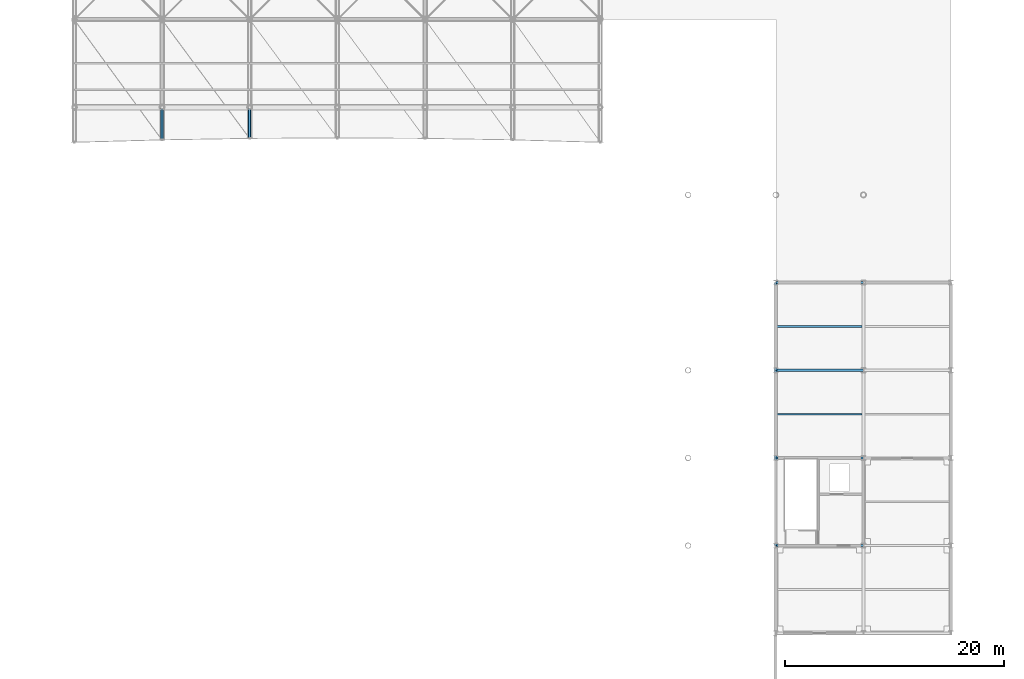
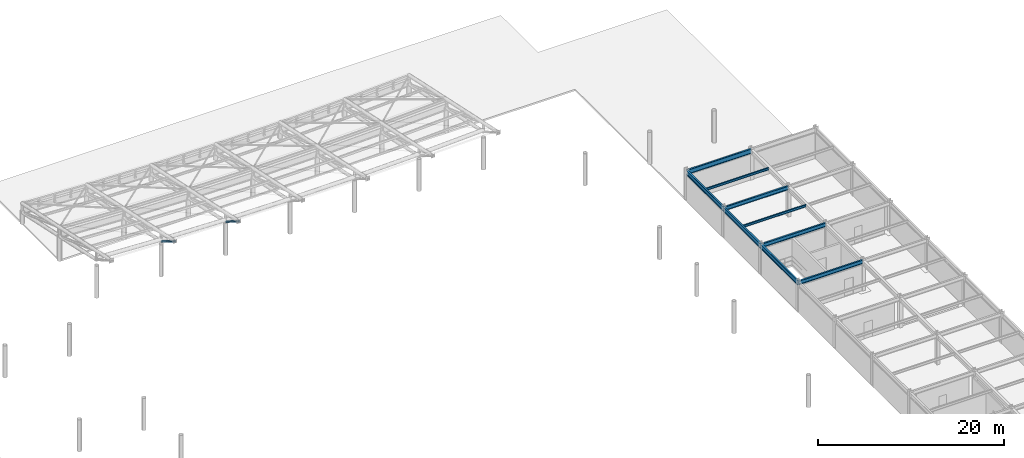
# One storey, part 16 of 54: 9 beams, 2 members.
"""IFC4 building model written with IfcOpenShell, lengths in metres."""

import ifcopenshell
import ifcopenshell.guid

model = None  # the IFC model being written
_history = None  # IfcOwnerHistory: only IFC2X3 demands one
_inside = {}  # id of a spatial element -> (the spatial element, [elements in it])
_under = {}  # id of a project, library or spatial element -> (it, [spatial elements below it])
_declared = {}  # id of a project -> (the project, [libraries it declares])
_typed = {}  # id of a type object -> (the type object, [elements of that type])
_made_of = {}  # id of a material, layer set ... -> (it, [elements and type objects made of it])


def new_model(schema):
    """Start an empty IFC model of exactly this schema.

    Asked for "IFC4X3", IfcOpenShell would pick the latest addendum, in which some entities
    have other attributes; the version numbers below select the first issue.
    IFC2X3 requires an IfcOwnerHistory on every rooted entity: one is made here for all.
    """
    global model, _history
    if schema == "IFC4X3":
        model = ifcopenshell.file(schema_version=(4, 3, 0, 0))
    else:
        model = ifcopenshell.file(schema=schema)
    _inside.clear()
    _under.clear()
    _declared.clear()
    _typed.clear()
    _made_of.clear()
    _history = None
    if model.schema == "IFC2X3":
        org = make("IfcOrganization", Name="unknown")
        user = make(
            "IfcPersonAndOrganization",
            ThePerson=make("IfcPerson", FamilyName="unknown"),
            TheOrganization=org,
        )
        app = make(
            "IfcApplication",
            ApplicationDeveloper=org,
            Version="unknown",
            ApplicationFullName="unknown",
            ApplicationIdentifier="unknown",
        )
        _history = make(
            "IfcOwnerHistory",
            OwningUser=user,
            OwningApplication=app,
            ChangeAction="ADDED",
            CreationDate=0,
        )
    return model


def make(cls, **values):
    """One entity of the class cls with the attributes given. An attribute that is None is left unset."""
    return model.create_entity(
        cls, **{name: value for name, value in values.items() if value is not None}
    )


def rooted(cls, **values):
    """An entity with a GlobalId (a new one), such as an element, a storey or a relation."""
    return make(cls, GlobalId=ifcopenshell.guid.new(), OwnerHistory=_history, **values)


def si_unit(unit_type, name, prefix=None):
    """IfcSIUnit, for example si_unit("LENGTHUNIT", "METRE", prefix="MILLI")."""
    return make("IfcSIUnit", UnitType=unit_type, Prefix=prefix, Name=name)


def assignment(units):
    """IfcUnitAssignment: the units of a project."""
    return None if units is None else make("IfcUnitAssignment", Units=units)


def point(xyz):
    """IfcCartesianPoint."""
    return None if xyz is None else make("IfcCartesianPoint", Coordinates=xyz)


def direction(xyz):
    """IfcDirection."""
    return None if xyz is None else make("IfcDirection", DirectionRatios=xyz)


def frame(location, z_axis=None, x_axis=None):
    """IfcAxis2Placement3D, a coordinate frame: its origin and axes. An axis left out is left unset."""
    return make(
        "IfcAxis2Placement3D",
        Location=point(location),
        Axis=direction(z_axis),
        RefDirection=direction(x_axis),
    )


def frame_2d(location, x_axis=None):
    """IfcAxis2Placement2D, a coordinate frame in the plane: its origin and x axis."""
    return make(
        "IfcAxis2Placement2D", Location=point(location), RefDirection=direction(x_axis)
    )


def origin():
    """The frame at (0, 0, 0) with its axes left unset."""
    return frame((0.0, 0.0, 0.0))


def origin_2d():
    """The frame at (0, 0) in the plane with its x axis left unset."""
    return frame_2d((0.0, 0.0))


def place(relative_to, where):
    """IfcLocalPlacement: puts the frame where relative to a parent placement (None: the world)."""
    return make(
        "IfcLocalPlacement", PlacementRelTo=relative_to, RelativePlacement=where
    )


def context(
    kind, dimensions, precision=None, world=None, true_north=None, identifier=None
):
    """IfcGeometricRepresentationContext, for example the 3D "Model" context."""
    return make(
        "IfcGeometricRepresentationContext",
        ContextIdentifier=identifier,
        ContextType=kind,
        CoordinateSpaceDimension=dimensions,
        Precision=precision,
        WorldCoordinateSystem=world,
        TrueNorth=true_north,
    )


def subcontext(parent, identifier, kind, view, scale=None):
    """IfcGeometricRepresentationSubContext, for example "Body" below "Model"."""
    return make(
        "IfcGeometricRepresentationSubContext",
        ContextIdentifier=identifier,
        ContextType=kind,
        ParentContext=parent,
        TargetScale=scale,
        TargetView=view,
    )


def project(units=None, contexts=None):
    """IfcProject with its units and contexts."""
    return rooted(
        "IfcProject",
        Name="project",
        RepresentationContexts=contexts,
        UnitsInContext=assignment(units),
    )


def spatial(cls, under=None, at=None, **own):
    """A site, building, storey or space (cls), placed at a placement, below another one or the project."""
    s = rooted(cls, ObjectPlacement=at, **own)
    if under is not None:
        _under.setdefault(under.id(), (under, []))[1].append(s)
    return s


def profile(cls, at=None, kind="AREA", **sizes):
    """A parametric profile (cls). Its sizes go by their IFC names, for example OverallWidth=200.0."""
    return make(cls, ProfileType=kind, Position=at, **sizes)


def hollow_circle(**sizes):
    """IfcCircleHollowProfileDef."""
    return profile("IfcCircleHollowProfileDef", **sizes)


def i_section(**sizes):
    """IfcIShapeProfileDef."""
    return profile("IfcIShapeProfileDef", **sizes)


def extrude(swept, where, along, depth):
    """IfcExtrudedAreaSolid: the profile swept, set in the frame where, extruded along a direction by depth."""
    return make(
        "IfcExtrudedAreaSolid",
        SweptArea=swept,
        Position=where,
        ExtrudedDirection=direction(along),
        Depth=depth,
    )


def shape(context_of_items, identifier, shape_type, items):
    """IfcShapeRepresentation: the items that make up one representation, for example the "Body"."""
    return make(
        "IfcShapeRepresentation",
        ContextOfItems=context_of_items,
        RepresentationIdentifier=identifier,
        RepresentationType=shape_type,
        Items=items,
    )


def material(Name=None, Category=None):
    """IfcMaterial."""
    return make("IfcMaterial", Name=Name, Category=Category)


def material_profile(
    of_material, cross_section, Name=None, Category=None, Priority=None
):
    """IfcMaterialProfile: a cross section and its material."""
    return make(
        "IfcMaterialProfile",
        Name=Name,
        Material=of_material,
        Profile=cross_section,
        Priority=Priority,
        Category=Category,
    )


def profile_set(profiles, Name=None, composite=None):
    """IfcMaterialProfileSet."""
    return make(
        "IfcMaterialProfileSet",
        Name=Name,
        MaterialProfiles=profiles,
        CompositeProfile=composite,
    )


def made_of(thing, what):
    """Note that an element or type object is made of a material, layer set ...; save() writes the relation."""
    if what is not None:
        _made_of.setdefault(what.id(), (what, []))[1].append(thing)
    return thing


def type_object(cls, material=None, **own):
    """A type object (cls), such as IfcWallType, which elements share."""
    return made_of(rooted(cls, **own), material)


def element(
    cls,
    number,
    at=None,
    inside=None,
    cuts=None,
    type_object=None,
    material=None,
    context=None,
    identifier="Body",
    shape_type=None,
    held_by="IfcProductDefinitionShape",
    body=None,
    shapes=None,
    **own,
):
    """One element of the class cls, such as IfcWall. Its Tag is "e" and its number.

    at: its placement. inside: the storey or other place that contains it. cuts: it is an
    opening in that element (IfcRelVoidsElement). A single representation is given by context,
    identifier, shape_type and body (its items); several are given by shapes. held_by: the class
    of the entity that holds the representations. save() writes the other relations.
    """
    e = rooted(cls, Tag="e%d" % number, ObjectPlacement=at, **own)
    if body is not None:
        shapes = [shape(context, identifier, shape_type, body)]
    if shapes is not None:
        e.Representation = make(held_by, Representations=shapes)
    if inside is not None:
        _inside.setdefault(inside.id(), (inside, []))[1].append(e)
    if cuts is not None:
        rooted(
            "IfcRelVoidsElement", RelatingBuildingElement=cuts, RelatedOpeningElement=e
        )
    if type_object is not None:
        _typed.setdefault(type_object.id(), (type_object, []))[1].append(e)
    return made_of(e, material)


def aggregate(whole, parts):
    """IfcRelAggregates: a whole, such as a stair, and the parts it consists of."""
    return rooted("IfcRelAggregates", RelatingObject=whole, RelatedObjects=parts)


def save(model, path):
    """Write the relations noted so far, then the file.

    IfcRelAggregates (storeys below a building ...), IfcRelContainedInSpatialStructure (elements
    in a storey), IfcRelDefinesByType, IfcRelAssociatesMaterial and IfcRelDeclares: one each for
    every whole, place, type object, material and project.
    """
    for whole, parts in _under.values():
        aggregate(whole, parts)
    for where, things in _inside.values():
        rooted(
            "IfcRelContainedInSpatialStructure",
            RelatedElements=things,
            RelatingStructure=where,
        )
    for kind, things in _typed.values():
        rooted("IfcRelDefinesByType", RelatedObjects=things, RelatingType=kind)
    for what, things in _made_of.values():
        rooted("IfcRelAssociatesMaterial", RelatedObjects=things, RelatingMaterial=what)
    for by, libraries in _declared.values():
        rooted("IfcRelDeclares", RelatingContext=by, RelatedDefinitions=libraries)
    model.write(path)


model = new_model("IFC4")

# Units and contexts
model_context = context("Model", 3, precision=1e-05, world=origin(), true_north=direction((0.0, 1.0)))
body_context = subcontext(model_context, "Body", "Model", "MODEL_VIEW")
ifc_project = project(units=[si_unit("LENGTHUNIT", "METRE"), si_unit("AREAUNIT", "SQUARE_METRE"), si_unit("VOLUMEUNIT", "CUBIC_METRE"), si_unit("PLANEANGLEUNIT", "RADIAN"), si_unit("MASSUNIT", "GRAM", prefix="KILO")], contexts=[model_context])

# Site, building, storey
site_placement = place(None, origin())
site = spatial("IfcSite", under=ifc_project, at=site_placement, CompositionType="ELEMENT")
building_placement = place(site_placement, origin())
building = spatial("IfcBuilding", under=site, at=building_placement, Name="Haebicheon Civic Stadium", CompositionType="ELEMENT")
storey_placement = place(building_placement, frame((0.0, 0.0, 22.800048828125)))
storey = spatial("IfcBuildingStorey", under=building, at=storey_placement, Name="L06", CompositionType="ELEMENT", Elevation=22.800048828125)

# Beams
ifc_material_1 = material(Name="Steel SM355 (S355)", Category="steel")
ifc_material_profile_1 = material_profile(ifc_material_1, i_section(OverallWidth=0.199951171875, OverallDepth=0.5, WebThickness=0.010009765625, FlangeThickness=0.01611328125, at=origin_2d()), Name="H-500x200x10x16")
ifc_profile_set_1 = profile_set([ifc_material_profile_1], Name="Steel SM355 (S355)")
beam_type_1 = type_object("IfcBeamType", Name="BM-ST-H500", PredefinedType="BEAM", material=ifc_profile_set_1)
for number, where, z_axis, x_axis, name in (
    (1, (144.0, 104.0, 3.72998046875), (1.0, 0.0, 0.0), (0.0, 1.0, 0.0), "L06 beam P/19-20"),
    (2, (144.0, 112.0, 3.72998046875), (1.0, 0.0, 0.0), (0.0, 1.0, 0.0), "L06 beam Q/19-20"),
    (3, (144.0, 120.0, 3.72998046875), (1.0, 0.0, 0.0), (0.0, 1.0, 0.0), "L06 beam R/19-20"),
):
    element("IfcBeam", number, at=place(storey_placement, frame(where, z_axis=z_axis, x_axis=x_axis)), inside=storey, type_object=beam_type_1, material=ifc_profile_set_1, Name=name, PredefinedType="BEAM", context=body_context, shape_type="SweptSolid", body=[
        extrude(i_section(OverallWidth=0.199951171875, OverallDepth=0.5, WebThickness=0.010009765625, FlangeThickness=0.01611328125, at=origin_2d()), origin(), (0.0, 0.0, 1.0), 8.0),
    ])

# Members
ifc_material_2 = material(Name="White painted steel SM490", Category="steel")
ifc_material_profile_2 = material_profile(ifc_material_2, hollow_circle(Radius=0.1337890625, WallThickness=0.011962890625, at=origin_2d()), Name="CHS-267.4x12.0")
ifc_profile_set_2 = profile_set([ifc_material_profile_2], Name="White painted steel SM490")
member_type = type_object("IfcMemberType", Name="BRC-CHS267", PredefinedType="BRACE", material=ifc_profile_set_2)
member_1_placement = place(storey_placement, frame((88.0, 143.8798828125, 4.58203125), z_axis=(0.0, -0.857059789892, 0.515216960659), x_axis=(1.0, 0.0, 0.0)))
element("IfcMember", 4, at=member_1_placement, inside=storey, type_object=member_type, material=ifc_profile_set_2, Name="BR267 diagonal brace CAN-NORTH truss 2 tip", PredefinedType="BRACE", context=body_context, shape_type="SweptSolid", body=[
    extrude(hollow_circle(Radius=0.1337890625, WallThickness=0.011962890625, at=origin_2d()), origin(), (0.0, 0.0, 1.0), 3.33447265625),
])
member_2_placement = place(storey_placement, frame((96.0, 143.881103515625, 4.364013671875), z_axis=(0.0, -0.850258653068, 0.526365104166), x_axis=(1.0, 0.0, 0.0)))
element("IfcMember", 5, at=member_2_placement, inside=storey, type_object=member_type, material=ifc_profile_set_2, Name="BR267 diagonal brace CAN-NORTH truss 3 tip", PredefinedType="BRACE", context=body_context, shape_type="SweptSolid", body=[
    extrude(hollow_circle(Radius=0.1337890625, WallThickness=0.011962890625, at=origin_2d()), origin(), (0.0, 0.0, 1.0), 3.205078125),
])

# Beams
ifc_material_3 = material(Name="Steel SM355 (S355)", Category="steel")
ifc_material_profile_3 = material_profile(ifc_material_3, i_section(OverallWidth=0.14990234375, OverallDepth=0.300048828125, WebThickness=0.006591796875, FlangeThickness=0.009033203125, at=origin_2d()), Name="H-300x150x6.5x9")
ifc_profile_set_3 = profile_set([ifc_material_profile_3], Name="Steel SM355 (S355)")
beam_type_2 = type_object("IfcBeamType", Name="JST-ST-H300", PredefinedType="JOIST", material=ifc_profile_set_3)
for number, where, z_axis, x_axis, name in (
    (6, (144.10009765625, 116.0, 3.829833984375), (1.0, 0.0, 0.0), (0.0, 1.0, 0.0), "L06 secondary joist 18-14"),
    (7, (144.10009765625, 124.0, 3.829833984375), (1.0, 0.0, 0.0), (0.0, 1.0, 0.0), "L06 secondary joist 18-15"),
):
    element("IfcBeam", number, at=place(storey_placement, frame(where, z_axis=z_axis, x_axis=x_axis)), inside=storey, type_object=beam_type_2, material=ifc_profile_set_3, Name=name, PredefinedType="JOIST", context=body_context, shape_type="SweptSolid", body=[
        extrude(i_section(OverallWidth=0.14990234375, OverallDepth=0.300048828125, WebThickness=0.006591796875, FlangeThickness=0.009033203125, at=origin_2d()), origin(), (0.0, 0.0, 1.0), 7.75),
    ])
ifc_material_4 = material(Name="Steel SM355 (S355)", Category="steel")
ifc_material_profile_4 = material_profile(ifc_material_4, i_section(OverallWidth=0.199951171875, OverallDepth=0.60009765625, WebThickness=0.010986328125, FlangeThickness=0.01708984375, at=origin_2d()), Name="H-600x200x11x17")
ifc_profile_set_4 = profile_set([ifc_material_profile_4], Name="Steel SM355 (S355)")
beam_type_3 = type_object("IfcBeamType", Name="SPD-ST-H600B", PredefinedType="SPANDREL", material=ifc_profile_set_4)
for number, where, z_axis, x_axis, name in (
    (8, (144.0, 104.0, 3.679931640625), (0.0, 1.0, 0.0), (-1.0, 0.0, 0.0), "L06 girder 19/P-Q"),
    (9, (144.0, 112.0, 3.679931640625), (0.0, 1.0, 0.0), (-1.0, 0.0, 0.0), "L06 girder 19/Q-R"),
    (10, (144.0, 120.0, 3.679931640625), (0.0, 1.0, 0.0), (-1.0, 0.0, 0.0), "L06 girder 19/R-S"),
    (11, (144.0, 128.0, 3.679931640625), (1.0, 0.0, 0.0), (0.0, 1.0, 0.0), "L06 beam S/19-20"),
):
    element("IfcBeam", number, at=place(storey_placement, frame(where, z_axis=z_axis, x_axis=x_axis)), inside=storey, type_object=beam_type_3, material=ifc_profile_set_4, Name=name, PredefinedType="SPANDREL", context=body_context, shape_type="SweptSolid", body=[
        extrude(i_section(OverallWidth=0.199951171875, OverallDepth=0.60009765625, WebThickness=0.010986328125, FlangeThickness=0.01708984375, at=origin_2d()), origin(), (0.0, 0.0, 1.0), 8.0),
    ])

save(model, "model.ifc")
